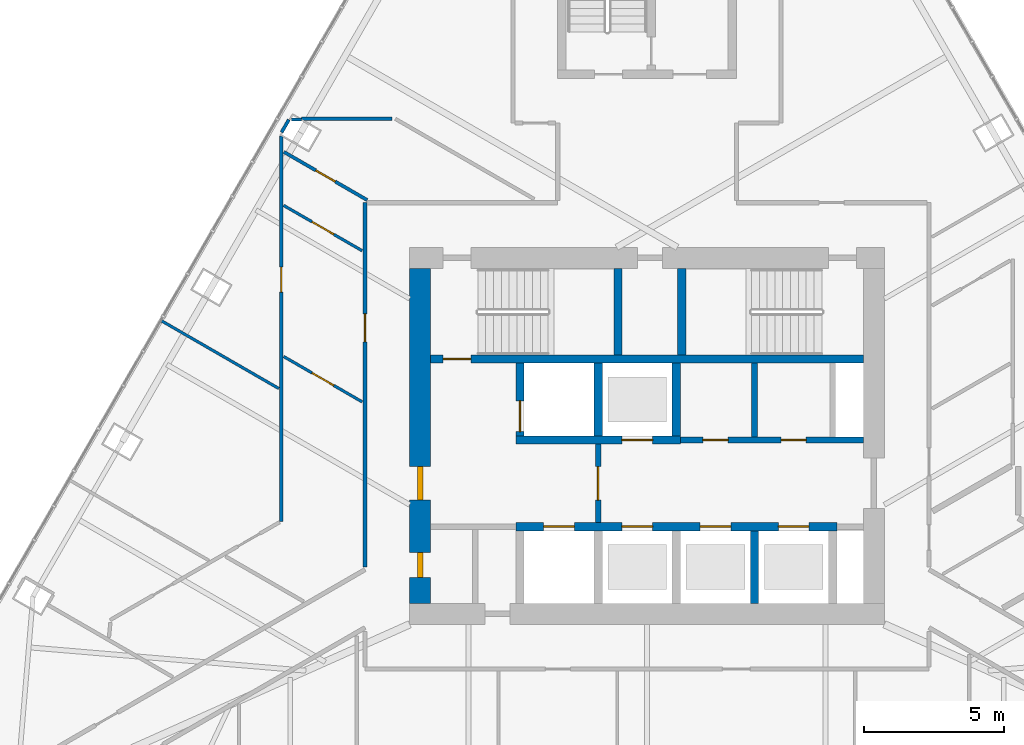
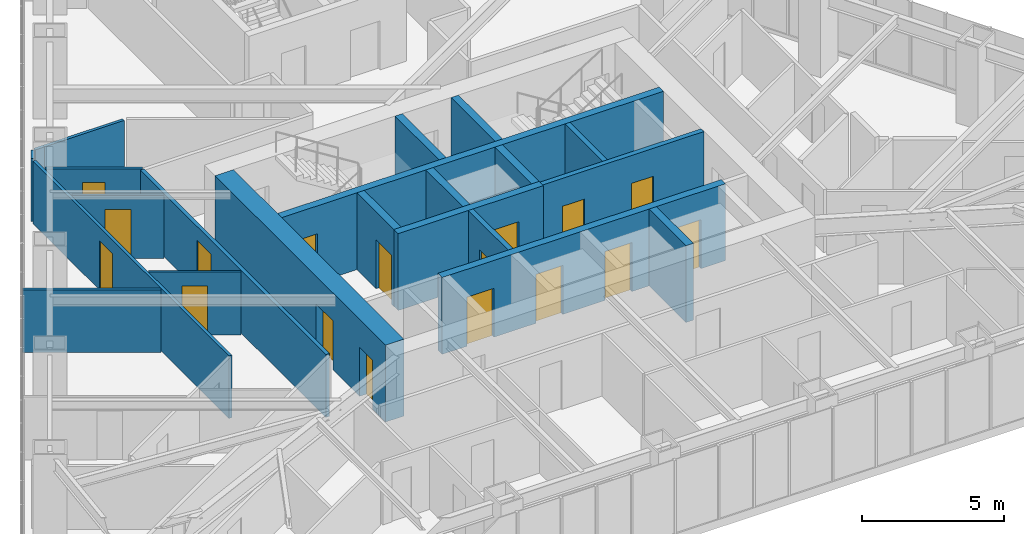
# One storey, part 17 of 21: 22 walls, 17 doors, 17 openings.
"""IFC4 building model written with IfcOpenShell, lengths in metres."""

from ifc_helpers import new_model, si_unit, direction, frame, frame_2d, origin, place, context, subcontext, project, spatial, rectangle, extrude, material, layer, layer_set, type_object, element, fill, save


model = new_model("IFC4")

# Units and contexts
model_context = context("Model", 3, precision=1e-05, world=origin(), true_north=direction((0.0, 1.0)))
body_context = subcontext(model_context, "Body", "Model", "MODEL_VIEW")
ifc_project = project(units=[si_unit("LENGTHUNIT", "METRE"), si_unit("AREAUNIT", "SQUARE_METRE"), si_unit("VOLUMEUNIT", "CUBIC_METRE"), si_unit("PLANEANGLEUNIT", "RADIAN"), si_unit("MASSUNIT", "GRAM", prefix="KILO")], contexts=[model_context])

# Site, building, storey
site_placement = place(None, origin())
site = spatial("IfcSite", under=ifc_project, at=site_placement, CompositionType="ELEMENT")
building_placement = place(site_placement, origin())
building = spatial("IfcBuilding", under=site, at=building_placement, Name="Firuza Gate Tower and Library", CompositionType="ELEMENT")
storey_placement = place(building_placement, frame((0.0, 0.0, 284.60009765625)))
storey = spatial("IfcBuildingStorey", under=building, at=storey_placement, Name="L68", CompositionType="ELEMENT", Elevation=284.60009765625)

# Wall, openings, doors
ifc_material_1 = material(Name="Plasterboard on steel studs", Category="steel")
ifc_layer_1 = layer(ifc_material_1, 0.199951171875)
ifc_layer_set_1 = layer_set([ifc_layer_1], Name="Core partition 200 EI 120")
wall_type_1 = type_object("IfcWallType", Name="Core partition 200 EI 120", PredefinedType="PARTITIONING", material=ifc_layer_set_1)
wall_1_placement = place(storey_placement, frame((76.199951171875, 74.85009765625, 0.0), z_axis=(0.0, 0.0, 1.0), x_axis=(1.0, 0.0, 0.0)))
wall_1 = element("IfcWall", 1, at=wall_1_placement, inside=storey, type_object=wall_type_1, Name="Core partition L68 3", PredefinedType="PARTITIONING", context=body_context, shape_type="SweptSolid", body=[
    extrude(rectangle(XDim=6.550048828125, YDim=0.199951171875, at=frame_2d((3.27490234375, 0.0))), origin(), (0.0, 0.0, 1.0), 3.2998046875),
])
opening_1_placement = place(wall_1_placement, frame((0.800048828125, 0.0, 0.0)))
opening_1 = element("IfcOpeningElement", 2, at=opening_1_placement, cuts=wall_1, Name="Opening L68-K19", PredefinedType="OPENING", context=body_context, shape_type="SweptSolid", body=[
    extrude(rectangle(XDim=0.89990234375, YDim=2.10009765625, at=frame_2d((0.449951171875, 1.050048828125))), frame((0.0, 0.10986328125, 0.0), z_axis=(0.0, -1.0, 0.0), x_axis=(1.0, 0.0, 0.0)), (0.0, 0.0, 1.0), 0.219970703125),
])
opening_2_placement = place(wall_1_placement, frame((3.60009765625, 0.0, 0.0)))
opening_2 = element("IfcOpeningElement", 3, at=opening_2_placement, cuts=wall_1, Name="Opening L68-K20", PredefinedType="OPENING", context=body_context, shape_type="SweptSolid", body=[
    extrude(rectangle(XDim=0.89990234375, YDim=2.10009765625, at=frame_2d((0.449951171875, 1.050048828125))), frame((0.0, 0.10986328125, 0.0), z_axis=(0.0, -1.0, 0.0), x_axis=(1.0, 0.0, 0.0)), (0.0, 0.0, 1.0), 0.219970703125),
])
ifc_material_2 = material(Name="Steel", Category="steel")
door_type_1 = type_object("IfcDoorType", Name="Fire door 900x2100 FD30S", OperationType="NOTDEFINED", PredefinedType="DOOR", material=ifc_material_2)
door_1_placement = place(opening_1_placement, origin())
door_1 = element("IfcDoor", 4, at=door_1_placement, inside=storey, type_object=door_type_1, Name="Door L68-K19", OperationType="SINGLE_SWING_RIGHT", OverallHeight=2.10009765625, OverallWidth=0.89990234375, PredefinedType="DOOR", context=body_context, shape_type="SweptSolid", body=[
    extrude(rectangle(XDim=0.89990234375, YDim=2.10009765625, at=frame_2d((0.449951171875, 1.050048828125))), frame((0.0, 0.02490234375, 0.0), z_axis=(0.0, -1.0, 0.0), x_axis=(1.0, 0.0, 0.0)), (0.0, 0.0, 1.0), 0.050048828125),
])
fill(opening_1, door_1)
door_2_placement = place(opening_2_placement, origin())
door_2 = element("IfcDoor", 5, at=door_2_placement, inside=storey, type_object=door_type_1, Name="Door L68-K20", OperationType="SINGLE_SWING_LEFT", OverallHeight=2.10009765625, OverallWidth=0.89990234375, PredefinedType="DOOR", context=body_context, shape_type="SweptSolid", body=[
    extrude(rectangle(XDim=0.89990234375, YDim=2.10009765625, at=frame_2d((0.449951171875, 1.050048828125))), frame((0.0, 0.02490234375, 0.0), z_axis=(0.0, -1.0, 0.0), x_axis=(1.0, 0.0, 0.0)), (0.0, 0.0, 1.0), 0.050048828125),
])
fill(opening_2, door_2)

# Wall
wall_2_placement = place(storey_placement, frame((78.85009765625, 74.949951171875, 0.0), z_axis=(0.0, 0.0, 1.0), x_axis=(0.0, 1.0, 0.0)))
element("IfcWall", 6, at=wall_2_placement, inside=storey, type_object=wall_type_1, Name="Core partition L68 6", PredefinedType="PARTITIONING", context=body_context, shape_type="SweptSolid", body=[
    extrude(rectangle(XDim=2.650146484375, YDim=0.199951171875, at=frame_2d((1.3251953125, 0.0))), origin(), (0.0, 0.0, 1.0), 3.2998046875),
])

# Wall, opening, door
ifc_material_3 = material(Name="Plasterboard on steel studs", Category="steel")
ifc_layer_2 = layer(ifc_material_3, 0.199951171875)
ifc_layer_set_2 = layer_set([ifc_layer_2], Name="Core partition 200 EI 60")
wall_type_2 = type_object("IfcWallType", Name="Core partition 200 EI 60", PredefinedType="PARTITIONING", material=ifc_layer_set_2)
wall_3_placement = place(storey_placement, frame((73.25, 71.89990234375, 0.0), z_axis=(0.0, 0.0, 1.0), x_axis=(0.0, 1.0, 0.0)))
wall_3 = element("IfcWall", 7, at=wall_3_placement, inside=storey, type_object=wall_type_2, Name="Core partition L68 5", PredefinedType="PARTITIONING", context=body_context, shape_type="SweptSolid", body=[
    extrude(rectangle(XDim=2.800048828125, YDim=0.199951171875, at=frame_2d((1.39990234375, 0.0))), origin(), (0.0, 0.0, 1.0), 3.2998046875),
])
opening_3_placement = place(wall_3_placement, frame((0.800048828125, 0.0, 0.0)))
opening_3 = element("IfcOpeningElement", 8, at=opening_3_placement, cuts=wall_3, Name="Opening L68-K14", PredefinedType="OPENING", context=body_context, shape_type="SweptSolid", body=[
    extrude(rectangle(XDim=1.199951171875, YDim=2.10009765625, at=frame_2d((0.60009765625, 1.050048828125))), frame((0.0, 0.10986328125, 0.0), z_axis=(0.0, -1.0, 0.0), x_axis=(1.0, 0.0, 0.0)), (0.0, 0.0, 1.0), 0.219970703125),
])
ifc_material_4 = material(Name="Steel", Category="steel")
door_type_2 = type_object("IfcDoorType", Name="Fire door 1200x2100 FD90S", OperationType="NOTDEFINED", PredefinedType="DOOR", material=ifc_material_4)
door_3_placement = place(opening_3_placement, origin())
door_3 = element("IfcDoor", 9, at=door_3_placement, inside=storey, type_object=door_type_2, Name="Door L68-K14", OperationType="SINGLE_SWING_LEFT", OverallHeight=2.10009765625, OverallWidth=1.199951171875, PredefinedType="DOOR", context=body_context, shape_type="SweptSolid", body=[
    extrude(rectangle(XDim=1.199951171875, YDim=2.10009765625, at=frame_2d((0.60009765625, 1.050048828125))), frame((0.0, 0.02490234375, 0.0), z_axis=(0.0, -1.0, 0.0), x_axis=(1.0, 0.0, 0.0)), (0.0, 0.0, 1.0), 0.050048828125),
])
fill(opening_3, door_3)

# Wall, openings, doors
ifc_material_5 = material(Name="Concrete C60/75", Category="concrete")
ifc_layer_3 = layer(ifc_material_5, 0.300048828125)
ifc_layer_set_3 = layer_set([ifc_layer_3], Name="Core wall 300 C60/75")
wall_type_3 = type_object("IfcWallType", Name="Core wall 300 C60/75", PredefinedType="SHEAR", material=ifc_layer_set_3)
wall_4_placement = place(storey_placement, frame((70.300048828125, 71.75, 0.0), z_axis=(0.0, 0.0, 1.0), x_axis=(1.0, 0.0, 0.0)))
wall_4 = element("IfcWall", 10, at=wall_4_placement, inside=storey, type_object=wall_type_3, Name="Core wall L68 5", PredefinedType="SHEAR", context=body_context, shape_type="SweptSolid", body=[
    extrude(rectangle(XDim=11.5, YDim=0.300048828125, at=frame_2d((5.75, 0.0))), origin(), (0.0, 0.0, 1.0), 3.2998046875),
])
opening_4_placement = place(wall_4_placement, frame((1.0, 0.0, 0.0)))
opening_4 = element("IfcOpeningElement", 11, at=opening_4_placement, cuts=wall_4, Name="Opening LD-FF1-L68", PredefinedType="OPENING", context=body_context, shape_type="SweptSolid", body=[
    extrude(rectangle(XDim=1.10009765625, YDim=2.10009765625, at=frame_2d((0.550048828125, 1.050048828125))), frame((0.0, 0.16015625, 0.0), z_axis=(0.0, -1.0, 0.0), x_axis=(1.0, 0.0, 0.0)), (0.0, 0.0, 1.0), 0.320068359375),
])
opening_5_placement = place(wall_4_placement, frame((3.800048828125, 0.0, 0.0)))
opening_5 = element("IfcOpeningElement", 12, at=opening_5_placement, cuts=wall_4, Name="Opening LD-HR1-L68", PredefinedType="OPENING", context=body_context, shape_type="SweptSolid", body=[
    extrude(rectangle(XDim=1.10009765625, YDim=2.10009765625, at=frame_2d((0.550048828125, 1.050048828125))), frame((0.0, 0.16015625, 0.0), z_axis=(0.0, -1.0, 0.0), x_axis=(1.0, 0.0, 0.0)), (0.0, 0.0, 1.0), 0.320068359375),
])
opening_6_placement = place(wall_4_placement, frame((6.60009765625, 0.0, 0.0)))
opening_6 = element("IfcOpeningElement", 13, at=opening_6_placement, cuts=wall_4, Name="Opening LD-HR2-L68", PredefinedType="OPENING", context=body_context, shape_type="SweptSolid", body=[
    extrude(rectangle(XDim=1.10009765625, YDim=2.10009765625, at=frame_2d((0.550048828125, 1.050048828125))), frame((0.0, 0.16015625, 0.0), z_axis=(0.0, -1.0, 0.0), x_axis=(1.0, 0.0, 0.0)), (0.0, 0.0, 1.0), 0.320068359375),
])
opening_7_placement = place(wall_4_placement, frame((9.39990234375, 0.0, 0.0)))
opening_7 = element("IfcOpeningElement", 14, at=opening_7_placement, cuts=wall_4, Name="Opening LD-HR3-L68", PredefinedType="OPENING", context=body_context, shape_type="SweptSolid", body=[
    extrude(rectangle(XDim=1.10009765625, YDim=2.10009765625, at=frame_2d((0.550048828125, 1.050048828125))), frame((0.0, 0.16015625, 0.0), z_axis=(0.0, -1.0, 0.0), x_axis=(1.0, 0.0, 0.0)), (0.0, 0.0, 1.0), 0.320068359375),
])
ifc_material_6 = material(Name="Stainless steel", Category="steel")
door_type_3 = type_object("IfcDoorType", Name="Lift landing door 1100x2100", OperationType="DOUBLE_DOOR_SLIDING", PredefinedType="DOOR", material=ifc_material_6)
door_4_placement = place(opening_4_placement, origin())
door_4 = element("IfcDoor", 15, at=door_4_placement, inside=storey, type_object=door_type_3, Name="Landing door FF1 L68", OperationType="DOUBLE_DOOR_SLIDING", OverallHeight=2.10009765625, OverallWidth=1.10009765625, PredefinedType="DOOR", context=body_context, shape_type="SweptSolid", body=[
    extrude(rectangle(XDim=1.10009765625, YDim=2.10009765625, at=frame_2d((0.550048828125, 1.050048828125))), frame((0.0, 0.02490234375, 0.0), z_axis=(0.0, -1.0, 0.0), x_axis=(1.0, 0.0, 0.0)), (0.0, 0.0, 1.0), 0.050048828125),
])
fill(opening_4, door_4)
door_5_placement = place(opening_5_placement, origin())
door_5 = element("IfcDoor", 16, at=door_5_placement, inside=storey, type_object=door_type_3, Name="Landing door HR1 L68", OperationType="DOUBLE_DOOR_SLIDING", OverallHeight=2.10009765625, OverallWidth=1.10009765625, PredefinedType="DOOR", context=body_context, shape_type="SweptSolid", body=[
    extrude(rectangle(XDim=1.10009765625, YDim=2.10009765625, at=frame_2d((0.550048828125, 1.050048828125))), frame((0.0, 0.02490234375, 0.0), z_axis=(0.0, -1.0, 0.0), x_axis=(1.0, 0.0, 0.0)), (0.0, 0.0, 1.0), 0.050048828125),
])
fill(opening_5, door_5)
door_6_placement = place(opening_6_placement, origin())
door_6 = element("IfcDoor", 17, at=door_6_placement, inside=storey, type_object=door_type_3, Name="Landing door HR2 L68", OperationType="DOUBLE_DOOR_SLIDING", OverallHeight=2.10009765625, OverallWidth=1.10009765625, PredefinedType="DOOR", context=body_context, shape_type="SweptSolid", body=[
    extrude(rectangle(XDim=1.10009765625, YDim=2.10009765625, at=frame_2d((0.550048828125, 1.050048828125))), frame((0.0, 0.02490234375, 0.0), z_axis=(0.0, -1.0, 0.0), x_axis=(1.0, 0.0, 0.0)), (0.0, 0.0, 1.0), 0.050048828125),
])
fill(opening_6, door_6)
door_7_placement = place(opening_7_placement, origin())
door_7 = element("IfcDoor", 18, at=door_7_placement, inside=storey, type_object=door_type_3, Name="Landing door HR3 L68", OperationType="DOUBLE_DOOR_SLIDING", OverallHeight=2.10009765625, OverallWidth=1.10009765625, PredefinedType="DOOR", context=body_context, shape_type="SweptSolid", body=[
    extrude(rectangle(XDim=1.10009765625, YDim=2.10009765625, at=frame_2d((0.550048828125, 1.050048828125))), frame((0.0, 0.02490234375, 0.0), z_axis=(0.0, -1.0, 0.0), x_axis=(1.0, 0.0, 0.0)), (0.0, 0.0, 1.0), 0.050048828125),
])
fill(opening_7, door_7)

# Wall, opening, door
wall_5_placement = place(storey_placement, frame((70.300048828125, 74.85009765625, 0.0), z_axis=(0.0, 0.0, 1.0), x_axis=(1.0, 0.0, 0.0)))
wall_5 = element("IfcWall", 19, at=wall_5_placement, inside=storey, type_object=wall_type_3, Name="Core wall L68 6", PredefinedType="SHEAR", context=body_context, shape_type="SweptSolid", body=[
    extrude(rectangle(XDim=5.89990234375, YDim=0.300048828125, at=frame_2d((2.949951171875, 0.0))), origin(), (0.0, 0.0, 1.0), 3.2998046875),
])
opening_8_placement = place(wall_5_placement, frame((3.800048828125, 0.0, 0.0)))
opening_8 = element("IfcOpeningElement", 20, at=opening_8_placement, cuts=wall_5, Name="Opening LD-HR4-L68", PredefinedType="OPENING", context=body_context, shape_type="SweptSolid", body=[
    extrude(rectangle(XDim=1.10009765625, YDim=2.10009765625, at=frame_2d((0.550048828125, 1.050048828125))), frame((0.0, 0.16015625, 0.0), z_axis=(0.0, -1.0, 0.0), x_axis=(1.0, 0.0, 0.0)), (0.0, 0.0, 1.0), 0.320068359375),
])
door_8_placement = place(opening_8_placement, origin())
door_8 = element("IfcDoor", 21, at=door_8_placement, inside=storey, type_object=door_type_3, Name="Landing door HR4 L68", OperationType="DOUBLE_DOOR_SLIDING", OverallHeight=2.10009765625, OverallWidth=1.10009765625, PredefinedType="DOOR", context=body_context, shape_type="SweptSolid", body=[
    extrude(rectangle(XDim=1.10009765625, YDim=2.10009765625, at=frame_2d((0.550048828125, 1.050048828125))), frame((0.0, 0.02490234375, 0.0), z_axis=(0.0, -1.0, 0.0), x_axis=(1.0, 0.0, 0.0)), (0.0, 0.0, 1.0), 0.050048828125),
])
fill(opening_8, door_8)

wall_6_placement = place(storey_placement, frame((70.449951171875, 75.0, 0.0), z_axis=(0.0, 0.0, 1.0), x_axis=(0.0, 1.0, 0.0)))
wall_6 = element("IfcWall", 22, at=wall_6_placement, inside=storey, type_object=wall_type_3, Name="Core wall L68 8", PredefinedType="SHEAR", context=body_context, shape_type="SweptSolid", body=[
    extrude(rectangle(XDim=2.60009765625, YDim=0.300048828125, at=frame_2d((1.300048828125, 0.0))), origin(), (0.0, 0.0, 1.0), 3.2998046875),
])
opening_9_placement = place(wall_6_placement, frame((0.14990234375, 0.0, 0.0)))
opening_9 = element("IfcOpeningElement", 23, at=opening_9_placement, cuts=wall_6, Name="Opening LD-FF2-L68", PredefinedType="OPENING", context=body_context, shape_type="SweptSolid", body=[
    extrude(rectangle(XDim=1.10009765625, YDim=2.10009765625, at=frame_2d((0.550048828125, 1.050048828125))), frame((0.0, 0.16015625, 0.0), z_axis=(0.0, -1.0, 0.0), x_axis=(1.0, 0.0, 0.0)), (0.0, 0.0, 1.0), 0.320068359375),
])
door_9_placement = place(opening_9_placement, origin())
door_9 = element("IfcDoor", 24, at=door_9_placement, inside=storey, type_object=door_type_3, Name="Landing door FF2 L68", OperationType="DOUBLE_DOOR_SLIDING", OverallHeight=2.10009765625, OverallWidth=1.10009765625, PredefinedType="DOOR", context=body_context, shape_type="SweptSolid", body=[
    extrude(rectangle(XDim=1.10009765625, YDim=2.10009765625, at=frame_2d((0.550048828125, 1.050048828125))), frame((0.0, 0.02490234375, 0.0), z_axis=(0.0, -1.0, 0.0), x_axis=(1.0, 0.0, 0.0)), (0.0, 0.0, 1.0), 0.050048828125),
])
fill(opening_9, door_9)

# Walls
for number, where, z_axis, x_axis, name in (
    (25, (73.25, 75.0, 0.0), (0.0, 0.0, 1.0), (0.0, 1.0, 0.0), "Core wall L68 10"),
    (26, (76.050048828125, 75.0, 0.0), (0.0, 0.0, 1.0), (0.0, 1.0, 0.0), "Core wall L68 12"),
    (27, (78.85009765625, 69.0, 0.0), (0.0, 0.0, 1.0), (0.0, 1.0, 0.0), "Core wall L68 13"),
):
    element("IfcWall", number, at=place(storey_placement, frame(where, z_axis=z_axis, x_axis=x_axis)), inside=storey, type_object=wall_type_3, Name=name, PredefinedType="SHEAR", context=body_context, shape_type="SweptSolid", body=[
        extrude(rectangle(XDim=2.60009765625, YDim=0.300048828125, at=frame_2d((1.300048828125, 0.0))), origin(), (0.0, 0.0, 1.0), 3.2998046875),
    ])

# Wall, opening, door
wall_7_placement = place(storey_placement, frame((67.25, 77.75, 0.0), z_axis=(0.0, 0.0, 1.0), x_axis=(1.0, 0.0, 0.0)))
wall_7 = element("IfcWall", 28, at=wall_7_placement, inside=storey, type_object=wall_type_3, Name="Core wall L68 15", PredefinedType="SHEAR", context=body_context, shape_type="SweptSolid", body=[
    extrude(rectangle(XDim=15.5, YDim=0.300048828125, at=frame_2d((7.75, 0.0))), origin(), (0.0, 0.0, 1.0), 3.2998046875),
])
opening_10_placement = place(wall_7_placement, frame((0.445068359375, 0.0, 0.0)))
opening_10 = element("IfcOpeningElement", 29, at=opening_10_placement, cuts=wall_7, Name="Opening L68-K08", PredefinedType="OPENING", context=body_context, shape_type="SweptSolid", body=[
    extrude(rectangle(XDim=1.0, YDim=2.10009765625, at=frame_2d((0.5, 1.050048828125))), frame((0.0, 0.16015625, 0.0), z_axis=(0.0, -1.0, 0.0), x_axis=(1.0, 0.0, 0.0)), (0.0, 0.0, 1.0), 0.320068359375),
])
ifc_material_7 = material(Name="Steel", Category="steel")
door_type_4 = type_object("IfcDoorType", Name="Fire door 1000x2100 FD90", OperationType="NOTDEFINED", PredefinedType="DOOR", material=ifc_material_7)
door_10_placement = place(opening_10_placement, origin())
door_10 = element("IfcDoor", 30, at=door_10_placement, inside=storey, type_object=door_type_4, Name="Door L68-K08", OperationType="SINGLE_SWING_LEFT", OverallHeight=2.10009765625, OverallWidth=1.0, PredefinedType="DOOR", context=body_context, shape_type="SweptSolid", body=[
    extrude(rectangle(XDim=1.0, YDim=2.10009765625, at=frame_2d((0.5, 1.050048828125))), frame((0.0, 0.02490234375, 0.0), z_axis=(0.0, -1.0, 0.0), x_axis=(1.0, 0.0, 0.0)), (0.0, 0.0, 1.0), 0.050048828125),
])
fill(opening_10, door_10)

# Walls
for number, where, z_axis, x_axis, name in (
    (31, (73.9599609375, 77.89990234375, 0.0), (0.0, 0.0, 1.0), (0.0, 1.0, 0.0), "Core wall L68 16"),
    (32, (76.239990234375, 77.89990234375, 0.0), (0.0, 0.0, 1.0), (0.0, 1.0, 0.0), "Core wall L68 17"),
):
    element("IfcWall", number, at=place(storey_placement, frame(where, z_axis=z_axis, x_axis=x_axis)), inside=storey, type_object=wall_type_3, Name=name, PredefinedType="SHEAR", context=body_context, shape_type="SweptSolid", body=[
        extrude(rectangle(XDim=3.10009765625, YDim=0.300048828125, at=frame_2d((1.550048828125, 0.0))), origin(), (0.0, 0.0, 1.0), 3.2998046875),
    ])

# Wall, openings, doors
ifc_material_8 = material(Name="Concrete C60/75", Category="concrete")
ifc_layer_4 = layer(ifc_material_8, 0.75)
ifc_layer_set_4 = layer_set([ifc_layer_4], Name="Core wall 750 C60/75")
wall_type_4 = type_object("IfcWallType", Name="Core wall 750 C60/75", PredefinedType="SHEAR", material=ifc_layer_set_4)
wall_8_placement = place(storey_placement, frame((66.875, 69.0, 0.0), z_axis=(0.0, 0.0, 1.0), x_axis=(0.0, 1.0, 0.0)))
wall_8 = element("IfcWall", 33, at=wall_8_placement, inside=storey, type_object=wall_type_4, Name="Core wall L68 3", PredefinedType="SHEAR", context=body_context, shape_type="SweptSolid", body=[
    extrude(rectangle(XDim=12.0, YDim=0.75, at=frame_2d((6.0, 0.0))), origin(), (0.0, 0.0, 1.0), 3.2998046875),
])
opening_11_placement = place(wall_8_placement, frame((3.699951171875, 0.0, 0.0)))
opening_11 = element("IfcOpeningElement", 34, at=opening_11_placement, cuts=wall_8, Name="Opening L68-K15", PredefinedType="OPENING", context=body_context, shape_type="SweptSolid", body=[
    extrude(rectangle(XDim=1.199951171875, YDim=2.10009765625, at=frame_2d((0.60009765625, 1.050048828125))), frame((0.0, 0.385009765625, 0.0), z_axis=(0.0, -1.0, 0.0), x_axis=(1.0, 0.0, 0.0)), (0.0, 0.0, 1.0), 0.77001953125),
])
opening_12_placement = place(wall_8_placement, frame((0.925048828125, 0.0, 0.0)))
opening_12 = element("IfcOpeningElement", 35, at=opening_12_placement, cuts=wall_8, Name="Opening L68-K17", PredefinedType="OPENING", context=body_context, shape_type="SweptSolid", body=[
    extrude(rectangle(XDim=0.89990234375, YDim=2.10009765625, at=frame_2d((0.449951171875, 1.050048828125))), frame((0.0, 0.385009765625, 0.0), z_axis=(0.0, -1.0, 0.0), x_axis=(1.0, 0.0, 0.0)), (0.0, 0.0, 1.0), 0.77001953125),
])
door_11_placement = place(opening_11_placement, origin())
door_11 = element("IfcDoor", 36, at=door_11_placement, inside=storey, type_object=door_type_2, Name="Door L68-K15", OperationType="SINGLE_SWING_RIGHT", OverallHeight=2.10009765625, OverallWidth=1.199951171875, PredefinedType="DOOR", context=body_context, shape_type="SweptSolid", body=[
    extrude(rectangle(XDim=1.199951171875, YDim=2.10009765625, at=frame_2d((0.60009765625, 1.050048828125))), frame((0.0, 0.094970703125, 0.0), z_axis=(0.0, -1.0, 0.0), x_axis=(1.0, 0.0, 0.0)), (0.0, 0.0, 1.0), 0.18994140625),
])
fill(opening_11, door_11)
door_12_placement = place(opening_12_placement, origin())
door_12 = element("IfcDoor", 37, at=door_12_placement, inside=storey, type_object=door_type_1, Name="Door L68-K17", OperationType="SINGLE_SWING_RIGHT", OverallHeight=2.10009765625, OverallWidth=0.89990234375, PredefinedType="DOOR", context=body_context, shape_type="SweptSolid", body=[
    extrude(rectangle(XDim=0.89990234375, YDim=2.10009765625, at=frame_2d((0.449951171875, 1.050048828125))), frame((0.0, 0.094970703125, 0.0), z_axis=(0.0, -1.0, 0.0), x_axis=(1.0, 0.0, 0.0)), (0.0, 0.0, 1.0), 0.18994140625),
])
fill(opening_12, door_12)

# Wall, opening, door
ifc_material_9 = material(Name="Gypsum board partition")
ifc_layer_5 = layer(ifc_material_9, 0.14990234375)
ifc_layer_set_5 = layer_set([ifc_layer_5], Name="Corridor wall 150 double board on steel studs")
wall_type_5 = type_object("IfcWallType", Name="Corridor wall 150 double board on steel studs", PredefinedType="PARTITIONING", material=ifc_layer_set_5)
wall_9_placement = place(storey_placement, frame((64.89990234375, 70.294677734375, 0.0), z_axis=(0.0, 0.0, 1.0), x_axis=(0.0, 1.0, 0.0)))
wall_9 = element("IfcWall", 38, at=wall_9_placement, inside=storey, type_object=wall_type_5, Name="f:L68:w058", PredefinedType="PARTITIONING", context=body_context, shape_type="SweptSolid", body=[
    extrude(rectangle(XDim=13.055419921875, YDim=0.14990234375, at=frame_2d((6.52783203125, 0.0))), origin(), (0.0, 0.0, 1.0), 2.699951171875),
])
opening_13_placement = place(wall_9_placement, frame((8.069580078125, 0.0, 0.0)))
opening_13 = element("IfcOpeningElement", 39, at=opening_13_placement, cuts=wall_9, Name="Opening L68-22", PredefinedType="OPENING", context=body_context, shape_type="SweptSolid", body=[
    extrude(rectangle(XDim=1.0, YDim=2.10009765625, at=frame_2d((0.5, 1.050048828125))), frame((0.0, 0.0849609375, 0.0), z_axis=(0.0, -1.0, 0.0), x_axis=(1.0, 0.0, 0.0)), (0.0, 0.0, 1.0), 0.169921875),
])
ifc_material_10 = material(Name="Steel door and timber leaf", Category="steel")
door_type_5 = type_object("IfcDoorType", Name="Fire door 1000 x 2100 steel frame, timber leaf", OperationType="NOTDEFINED", PredefinedType="DOOR", material=ifc_material_10)
door_13_placement = place(opening_13_placement, origin())
door_13 = element("IfcDoor", 40, at=door_13_placement, inside=storey, type_object=door_type_5, Name="f:L68:d022", OperationType="SINGLE_SWING_RIGHT", OverallHeight=2.10009765625, OverallWidth=1.0, PredefinedType="DOOR", context=body_context, shape_type="SweptSolid", body=[
    extrude(rectangle(XDim=1.0, YDim=2.10009765625, at=frame_2d((0.5, 1.050048828125))), frame((0.0, 0.02490234375, 0.0), z_axis=(0.0, -1.0, 0.0), x_axis=(1.0, 0.0, 0.0)), (0.0, 0.0, 1.0), 0.050048828125),
])
fill(opening_13, door_13)

ifc_material_11 = material(Name="Gypsum board partition")
ifc_layer_6 = layer(ifc_material_11, 0.10009765625)
ifc_layer_set_6 = layer_set([ifc_layer_6], Name="Partition 100 gypsum board on steel studs")
wall_type_6 = type_object("IfcWallType", Name="Partition 100 gypsum board on steel studs", PredefinedType="PARTITIONING", material=ifc_layer_set_6)
wall_10_placement = place(storey_placement, frame((61.986083984375, 83.25146484375, 0.0), z_axis=(0.0, 0.0, 1.0), x_axis=(0.866032882975, -0.499987045439, 0.0)))
wall_10 = element("IfcWall", 41, at=wall_10_placement, inside=storey, type_object=wall_type_6, Name="f:L68:w072", PredefinedType="PARTITIONING", context=body_context, shape_type="SweptSolid", body=[
    extrude(rectangle(XDim=3.248046875, YDim=0.10009765625, at=frame_2d((1.6240234375, 0.0))), origin(), (0.0, 0.0, 1.0), 2.699951171875),
])
opening_14_placement = place(wall_10_placement, frame((1.174072265625, 0.0, 0.0)))
opening_14 = element("IfcOpeningElement", 42, at=opening_14_placement, cuts=wall_10, Name="Opening L68-30", PredefinedType="OPENING", context=body_context, shape_type="SweptSolid", body=[
    extrude(rectangle(XDim=0.89990234375, YDim=2.10009765625, at=frame_2d((0.449951171875, 1.050048828125))), frame((0.0, 0.06005859375, 0.0), z_axis=(0.0, -1.0, 0.0), x_axis=(1.0, 0.0, 0.0)), (0.0, 0.0, 1.0), 0.1201171875),
])
ifc_material_12 = material(Name="Timber door", Category="wood")
door_type_6 = type_object("IfcDoorType", Name="Door 900 x 2100 timber leaf", OperationType="NOTDEFINED", PredefinedType="DOOR", material=ifc_material_12)
door_14_placement = place(opening_14_placement, origin())
door_14 = element("IfcDoor", 43, at=door_14_placement, inside=storey, type_object=door_type_6, Name="f:L68:d030", OperationType="SINGLE_SWING_RIGHT", OverallHeight=2.10009765625, OverallWidth=0.89990234375, PredefinedType="DOOR", context=body_context, shape_type="SweptSolid", body=[
    extrude(rectangle(XDim=0.89990234375, YDim=2.10009765625, at=frame_2d((0.449951171875, 1.050048828125))), frame((0.0, 0.02490234375, 0.0), z_axis=(0.0, -1.0, 0.0), x_axis=(1.0, 0.0, 0.0)), (0.0, 0.0, 1.0), 0.050048828125),
])
fill(opening_14, door_14)

wall_11_placement = place(storey_placement, frame((64.798828125, 76.216552734375, 0.0), z_axis=(0.0, 0.0, 1.0), x_axis=(-0.866000336211, 0.500043415797, 0.0)))
wall_11 = element("IfcWall", 44, at=wall_11_placement, inside=storey, type_object=wall_type_6, Name="f:L68:w075", PredefinedType="PARTITIONING", context=body_context, shape_type="SweptSolid", body=[
    extrude(rectangle(XDim=3.248291015625, YDim=0.10009765625, at=frame_2d((1.6240234375, 0.0))), origin(), (0.0, 0.0, 1.0), 2.699951171875),
])
opening_15_placement = place(wall_11_placement, frame((1.174072265625, 0.0, 0.0)))
opening_15 = element("IfcOpeningElement", 45, at=opening_15_placement, cuts=wall_11, Name="Opening L68-32", PredefinedType="OPENING", context=body_context, shape_type="SweptSolid", body=[
    extrude(rectangle(XDim=0.89990234375, YDim=2.10009765625, at=frame_2d((0.449951171875, 1.050048828125))), frame((0.0, 0.06005859375, 0.0), z_axis=(0.0, -1.0, 0.0), x_axis=(1.0, 0.0, 0.0)), (0.0, 0.0, 1.0), 0.1201171875),
])
door_15_placement = place(opening_15_placement, origin())
door_15 = element("IfcDoor", 46, at=door_15_placement, inside=storey, type_object=door_type_6, Name="f:L68:d032", OperationType="SINGLE_SWING_LEFT", OverallHeight=2.10009765625, OverallWidth=0.89990234375, PredefinedType="DOOR", context=body_context, shape_type="SweptSolid", body=[
    extrude(rectangle(XDim=0.89990234375, YDim=2.10009765625, at=frame_2d((0.449951171875, 1.050048828125))), frame((0.0, 0.02490234375, 0.0), z_axis=(0.0, -1.0, 0.0), x_axis=(1.0, 0.0, 0.0)), (0.0, 0.0, 1.0), 0.050048828125),
])
fill(opening_15, door_15)

# Walls
wall_12_placement = place(storey_placement, frame((61.814208984375, 76.69287109375, 0.0), z_axis=(0.0, 0.0, 1.0), x_axis=(-0.866028392017, 0.499994824194, 0.0)))
element("IfcWall", 47, at=wall_12_placement, inside=storey, type_object=wall_type_6, Name="f:L68:w076", PredefinedType="PARTITIONING", context=body_context, shape_type="SweptSolid", body=[
    extrude(rectangle(XDim=4.8623046875, YDim=0.10009765625, at=frame_2d((2.43115234375, 0.0))), origin(), (0.0, 0.0, 1.0), 2.68798828125),
])
ifc_material_13 = material(Name="Gypsum board partition")
ifc_layer_7 = layer(ifc_material_13, 0.1201171875)
ifc_layer_set_7 = layer_set([ifc_layer_7], Name="Wet-area partition 120 moisture-resistant board")
wall_type_7 = type_object("IfcWallType", Name="Wet-area partition 120 moisture-resistant board", PredefinedType="PARTITIONING", material=ifc_layer_set_7)
wall_13_placement = place(storey_placement, frame((62.630615234375, 86.35009765625, 0.0), z_axis=(0.0, 0.0, 1.0), x_axis=(1.0, 0.0, 0.0)))
element("IfcWall", 48, at=wall_13_placement, inside=storey, type_object=wall_type_7, Name="f:L68:w009", PredefinedType="PARTITIONING", context=body_context, shape_type="SweptSolid", body=[
    extrude(rectangle(XDim=3.239501953125, YDim=0.1201171875, at=frame_2d((1.61962890625, 0.0))), origin(), (0.0, 0.0, 1.0), 2.68798828125),
])
wall_14_placement = place(storey_placement, frame((62.26025390625, 86.330078125, 0.0), z_axis=(0.0, 0.0, 1.0), x_axis=(0.99999977296, 0.000673854294, 0.0)))
element("IfcWall", 49, at=wall_14_placement, inside=storey, type_object=wall_type_7, Name="f:L68:w014", PredefinedType="PARTITIONING", context=body_context, shape_type="SweptSolid", body=[
    extrude(rectangle(XDim=0.3623046875, YDim=0.1201171875, at=frame_2d((0.18115234375, 0.0))), origin(), (0.0, 0.0, 1.0), 2.699951171875),
])
wall_15_placement = place(storey_placement, frame((61.911865234375, 85.86767578125, 0.0), z_axis=(0.0, 0.0, 1.0), x_axis=(0.5002312107, 0.865891873066, 0.0)))
element("IfcWall", 50, at=wall_15_placement, inside=storey, type_object=wall_type_7, Name="f:L68:w033", PredefinedType="PARTITIONING", context=body_context, shape_type="SweptSolid", body=[
    extrude(rectangle(XDim=0.526123046875, YDim=0.1201171875, at=frame_2d((0.26318359375, 0.0))), origin(), (0.0, 0.0, 1.0), 2.699951171875),
])

# Wall, opening, door
wall_16_placement = place(storey_placement, frame((61.89990234375, 71.93994140625, 0.0), z_axis=(0.0, 0.0, 1.0), x_axis=(0.0, 1.0, 0.0)))
wall_16 = element("IfcWall", 51, at=wall_16_placement, inside=storey, type_object=wall_type_7, Name="f:L68:w060", PredefinedType="PARTITIONING", context=body_context, shape_type="SweptSolid", body=[
    extrude(rectangle(XDim=13.791748046875, YDim=0.1201171875, at=frame_2d((6.89599609375, 0.0))), origin(), (0.0, 0.0, 1.0), 2.68798828125),
])
opening_16_placement = place(wall_16_placement, frame((8.20556640625, 0.0, 0.0)))
opening_16 = element("IfcOpeningElement", 52, at=opening_16_placement, cuts=wall_16, Name="Opening L68-23", PredefinedType="OPENING", context=body_context, shape_type="SweptSolid", body=[
    extrude(rectangle(XDim=0.89990234375, YDim=2.10009765625, at=frame_2d((0.449951171875, 1.050048828125))), frame((0.0, 0.070068359375, 0.0), z_axis=(0.0, -1.0, 0.0), x_axis=(1.0, 0.0, 0.0)), (0.0, 0.0, 1.0), 0.14013671875),
])
door_16_placement = place(opening_16_placement, origin())
door_16 = element("IfcDoor", 53, at=door_16_placement, inside=storey, type_object=door_type_6, Name="f:L68:d023", OperationType="SINGLE_SWING_RIGHT", OverallHeight=2.10009765625, OverallWidth=0.89990234375, PredefinedType="DOOR", context=body_context, shape_type="SweptSolid", body=[
    extrude(rectangle(XDim=0.89990234375, YDim=2.10009765625, at=frame_2d((0.449951171875, 1.050048828125))), frame((0.0, 0.02490234375, 0.0), z_axis=(0.0, -1.0, 0.0), x_axis=(1.0, 0.0, 0.0)), (0.0, 0.0, 1.0), 0.050048828125),
])
fill(opening_16, door_16)

wall_17_placement = place(storey_placement, frame((61.994873046875, 85.166748046875, 0.0), z_axis=(0.0, 0.0, 1.0), x_axis=(0.86601316637, -0.500021195224, 0.0)))
wall_17 = element("IfcWall", 54, at=wall_17_placement, inside=storey, type_object=wall_type_7, Name="f:L68:w070", PredefinedType="PARTITIONING", context=body_context, shape_type="SweptSolid", body=[
    extrude(rectangle(XDim=3.442626953125, YDim=0.1201171875, at=frame_2d((1.72119140625, 0.0))), origin(), (0.0, 0.0, 1.0), 2.68798828125),
])
opening_17_placement = place(wall_17_placement, frame((1.3212890625, 0.0, 0.0)))
opening_17 = element("IfcOpeningElement", 55, at=opening_17_placement, cuts=wall_17, Name="Opening L68-26", PredefinedType="OPENING", context=body_context, shape_type="SweptSolid", body=[
    extrude(rectangle(XDim=0.800048828125, YDim=2.10009765625, at=frame_2d((0.39990234375, 1.050048828125))), frame((0.0, 0.070068359375, 0.0), z_axis=(0.0, -1.0, 0.0), x_axis=(1.0, 0.0, 0.0)), (0.0, 0.0, 1.0), 0.14013671875),
])
ifc_material_14 = material(Name="Timber door", Category="wood")
door_type_7 = type_object("IfcDoorType", Name="Door 800 x 2100 timber leaf", OperationType="NOTDEFINED", PredefinedType="DOOR", material=ifc_material_14)
door_17_placement = place(opening_17_placement, origin())
door_17 = element("IfcDoor", 56, at=door_17_placement, inside=storey, type_object=door_type_7, Name="f:L68:d026", OperationType="SINGLE_SWING_RIGHT", OverallHeight=2.10009765625, OverallWidth=0.800048828125, PredefinedType="DOOR", context=body_context, shape_type="SweptSolid", body=[
    extrude(rectangle(XDim=0.800048828125, YDim=2.10009765625, at=frame_2d((0.39990234375, 1.050048828125))), frame((0.0, 0.02490234375, 0.0), z_axis=(0.0, -1.0, 0.0), x_axis=(1.0, 0.0, 0.0)), (0.0, 0.0, 1.0), 0.050048828125),
])
fill(opening_17, door_17)

save(model, "model.ifc")
